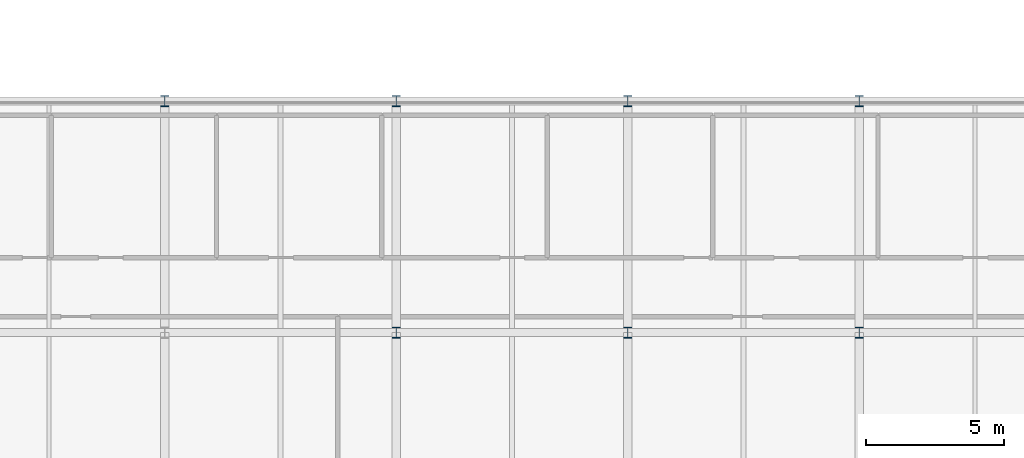
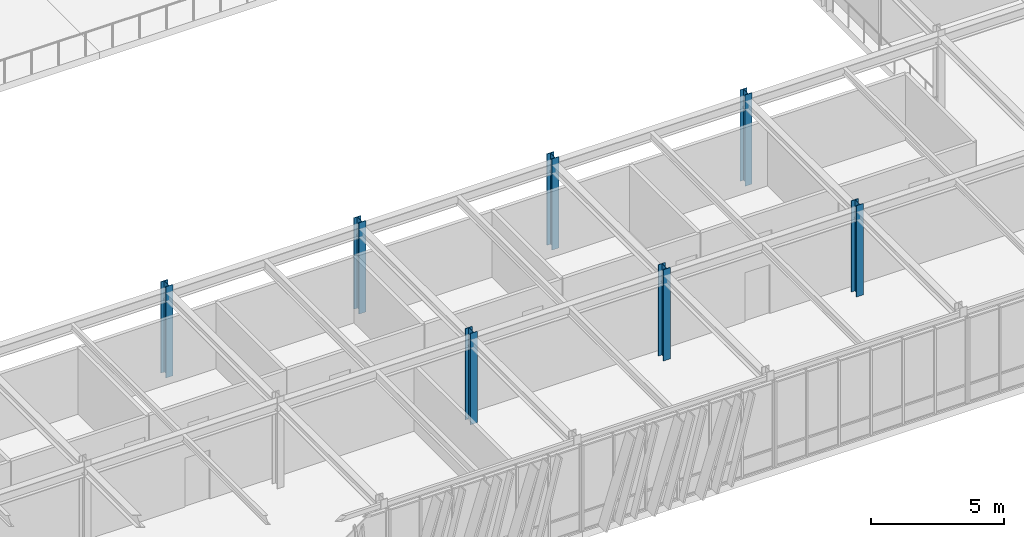
# One storey, part 8 of 127: 7 columns.
"""IFC4 building model written with IfcOpenShell, lengths in metres."""

from ifc_helpers import new_model, si_unit, direction, frame, origin, origin_2d, place, context, subcontext, project, spatial, i_section, extrude, material, material_profile, profile_set, type_object, element, save


model = new_model("IFC4")

# Units and contexts
model_context = context("Model", 3, precision=1e-05, world=origin(), true_north=direction((0.0, 1.0)))
body_context = subcontext(model_context, "Body", "Model", "MODEL_VIEW")
ifc_project = project(units=[si_unit("LENGTHUNIT", "METRE"), si_unit("AREAUNIT", "SQUARE_METRE"), si_unit("VOLUMEUNIT", "CUBIC_METRE"), si_unit("PLANEANGLEUNIT", "RADIAN"), si_unit("MASSUNIT", "GRAM", prefix="KILO")], contexts=[model_context])

# Site, building, storey
site_placement = place(None, origin())
site = spatial("IfcSite", under=ifc_project, at=site_placement, CompositionType="ELEMENT")
building_placement = place(site_placement, origin())
building = spatial("IfcBuilding", under=site, at=building_placement, Name="Zayran Congress Hotel", CompositionType="ELEMENT")
storey_placement = place(building_placement, frame((0.0, 0.0, 10.800048828125)))
storey = spatial("IfcBuildingStorey", under=building, at=storey_placement, Name="L02", CompositionType="ELEMENT", Elevation=10.800048828125)

# Columns
ifc_material = material(Name="Steel S355", Category="steel")
ifc_material_profile = material_profile(ifc_material, i_section(OverallWidth=0.300048828125, OverallDepth=0.39990234375, WebThickness=0.013427734375, FlangeThickness=0.02392578125, at=origin_2d()), Name="HEB 400")
ifc_profile_set = profile_set([ifc_material_profile], Name="Steel S355")
column_type = type_object("IfcColumnType", Name="TP-CL-07", PredefinedType="COLUMN", material=ifc_profile_set)
for number, where, z_axis, x_axis, name in (
    (1, (42.0, 84.39990234375, 0.0), (0.0, 0.0, 1.0), (1.0, 0.0, 0.0), "COL-V1-L02-0415"),
    (2, (50.39990234375, 76.0, 0.0), (0.0, 0.0, 1.0), (1.0, 0.0, 0.0), "COL-V1-L02-0419"),
    (3, (50.39990234375, 84.39990234375, 0.0), (0.0, 0.0, 1.0), (1.0, 0.0, 0.0), "COL-V1-L02-0420"),
    (4, (58.800048828125, 76.0, 0.0), (0.0, 0.0, 1.0), (1.0, 0.0, 0.0), "COL-V1-L02-0424"),
    (5, (58.800048828125, 84.39990234375, 0.0), (0.0, 0.0, 1.0), (1.0, 0.0, 0.0), "COL-V1-L02-0425"),
    (6, (67.199951171875, 76.0, 0.0), (0.0, 0.0, 1.0), (1.0, 0.0, 0.0), "COL-V1-L02-0429"),
    (7, (67.199951171875, 84.39990234375, 0.0), (0.0, 0.0, 1.0), (1.0, 0.0, 0.0), "COL-V1-L02-0430"),
):
    element("IfcColumn", number, at=place(storey_placement, frame(where, z_axis=z_axis, x_axis=x_axis)), inside=storey, type_object=column_type, Name=name, PredefinedType="COLUMN", context=body_context, shape_type="SweptSolid", body=[
        extrude(i_section(OverallWidth=0.300048828125, OverallDepth=0.39990234375, WebThickness=0.013427734375, FlangeThickness=0.02392578125, at=origin_2d()), origin(), (0.0, 0.0, 1.0), 4.199951171875),
    ])

save(model, "model.ifc")
